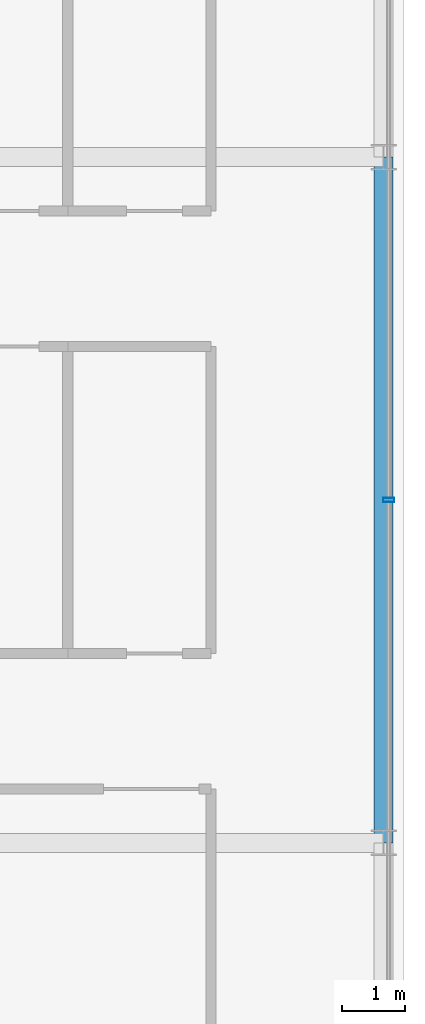
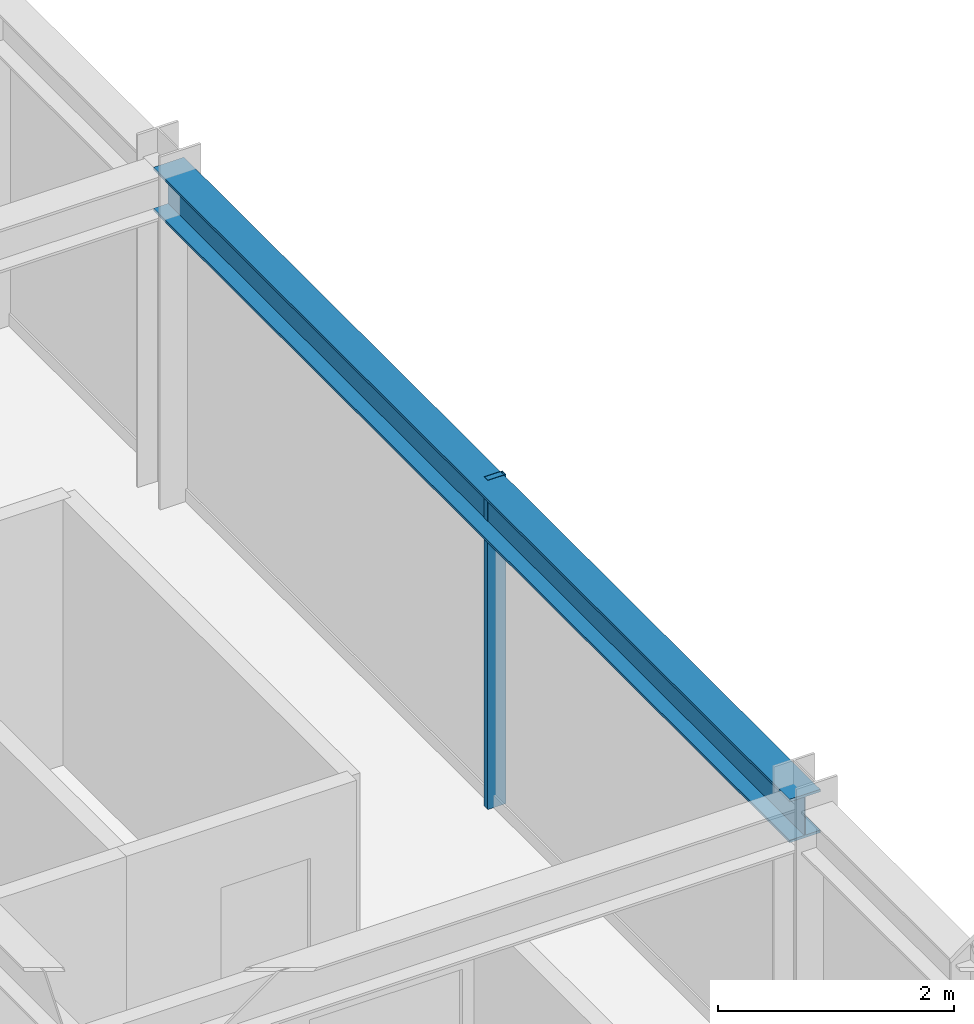
# One storey, part 16 of 32: 1 beam, 1 member, 1 element without a shape of its own.
"""IFC4 building model written with IfcOpenShell, lengths in metres."""

from ifc_helpers import new_model, si_unit, direction, frame, origin, origin_2d, place, context, subcontext, project, spatial, hollow_rectangle, i_section, extrude, source, transform, mapped, material, material_profile, profile_set, type_object, element, aggregate, save


model = new_model("IFC4")

# Units and contexts
model_context = context("Model", 3, precision=1e-05, world=origin(), true_north=direction((0.0, 1.0)))
body_context = subcontext(model_context, "Body", "Model", "MODEL_VIEW")
ifc_project = project(units=[si_unit("LENGTHUNIT", "METRE"), si_unit("AREAUNIT", "SQUARE_METRE"), si_unit("VOLUMEUNIT", "CUBIC_METRE"), si_unit("PLANEANGLEUNIT", "RADIAN"), si_unit("MASSUNIT", "GRAM", prefix="KILO")], contexts=[model_context])

# Site, building, storey
site_placement = place(None, origin())
site = spatial("IfcSite", under=ifc_project, at=site_placement, CompositionType="ELEMENT")
building_placement = place(site_placement, origin())
building = spatial("IfcBuilding", under=site, at=building_placement, Name="Nahalor Promenade Grand Hotel", CompositionType="ELEMENT")
storey_placement = place(building_placement, frame((0.0, 0.0, 230.800048828125)))
storey = spatial("IfcBuildingStorey", under=building, at=storey_placement, Name="L59", CompositionType="ELEMENT", Elevation=230.800048828125)

# Beam
ifc_material_1 = material(Name="Steel S355JR", Category="steel")
ifc_material_profile_1 = material_profile(ifc_material_1, i_section(OverallWidth=0.3, OverallDepth=0.45, WebThickness=0.014, FlangeThickness=0.026, at=origin_2d()), Name="HEB 450")
ifc_profile_set_1 = profile_set([ifc_material_profile_1], Name="Steel S355JR")
beam_type = type_object("IfcBeamType", Name="Beam-Spandrel-HEB450", PredefinedType="SPANDREL", material=ifc_profile_set_1)
shared_shape_1 = source(origin(), body_context, "Body", "SweptSolid", [
    extrude(i_section(OverallWidth=0.3, OverallDepth=0.45, WebThickness=0.014, FlangeThickness=0.026, at=origin_2d()), origin(), (0.0, 0.0, 1.0), 10.7998046875),
])
beam_placement = place(storey_placement, frame((23.8798828125, -5.39990234375, 3.18505859375), z_axis=(0.0, 1.0, 0.0), x_axis=(-1.0, 0.0, 0.0)))
element("IfcBeam", 1, at=beam_placement, inside=storey, type_object=beam_type, Name="BM-L59-SP-E-2", PredefinedType="SPANDREL", context=body_context, shape_type="MappedRepresentation", body=[
    mapped(shared_shape_1, transform((0.0, 0.0, 0.0), scale=1.0)),
])

# Curtain wall, member
ifc_material_2 = material(Name="Anodised Bronze Aluminium EN AW-6063 T6", Category="aluminium")
curtain_wall_type = type_object("IfcCurtainWallType", Name="CW2 Typical Hotel Flush Bronze Unitised Curtain Wall", PredefinedType="USERDEFINED", material=ifc_material_2)
curtain_wall_placement = place(storey_placement, origin())
curtain_wall = element("IfcCurtainWall", 2, at=curtain_wall_placement, inside=storey, type_object=curtain_wall_type, Name="L59 Curtain Wall CW-L59-E-1", ObjectType="UNITISED_CURTAIN_WALL", PredefinedType="USERDEFINED")
ifc_material_profile_2 = material_profile(ifc_material_2, hollow_rectangle(XDim=0.065, YDim=0.18, WallThickness=0.004, at=origin_2d()), Name="CWM 65x180x4")
ifc_profile_set_2 = profile_set([ifc_material_profile_2], Name="Anodised Bronze Aluminium EN AW-6063 T6")
member_type = type_object("IfcMemberType", Name="CWM2 Typical Bronze Mullion 65x180", PredefinedType="MULLION", material=ifc_profile_set_2)
shared_shape_2 = source(origin(), body_context, "Body", "SweptSolid", [
    extrude(hollow_rectangle(XDim=0.065, YDim=0.18, WallThickness=0.004, at=origin_2d()), origin(), (0.0, 0.0, 1.0), 3.409912109375),
])
member_placement = place(storey_placement, frame((23.9599609375, 0.0, 0.0), z_axis=(0.0, 0.0, 1.0), x_axis=(0.0, 1.0, 0.0)))
member = element("IfcMember", 3, at=member_placement, type_object=member_type, Name="CW-L59-E-1 Mullion 2", PredefinedType="MULLION", context=body_context, shape_type="MappedRepresentation", body=[
    mapped(shared_shape_2, transform((0.0, 0.0, 0.0), scale=1.0)),
])
aggregate(curtain_wall, [member])

save(model, "model.ifc")
